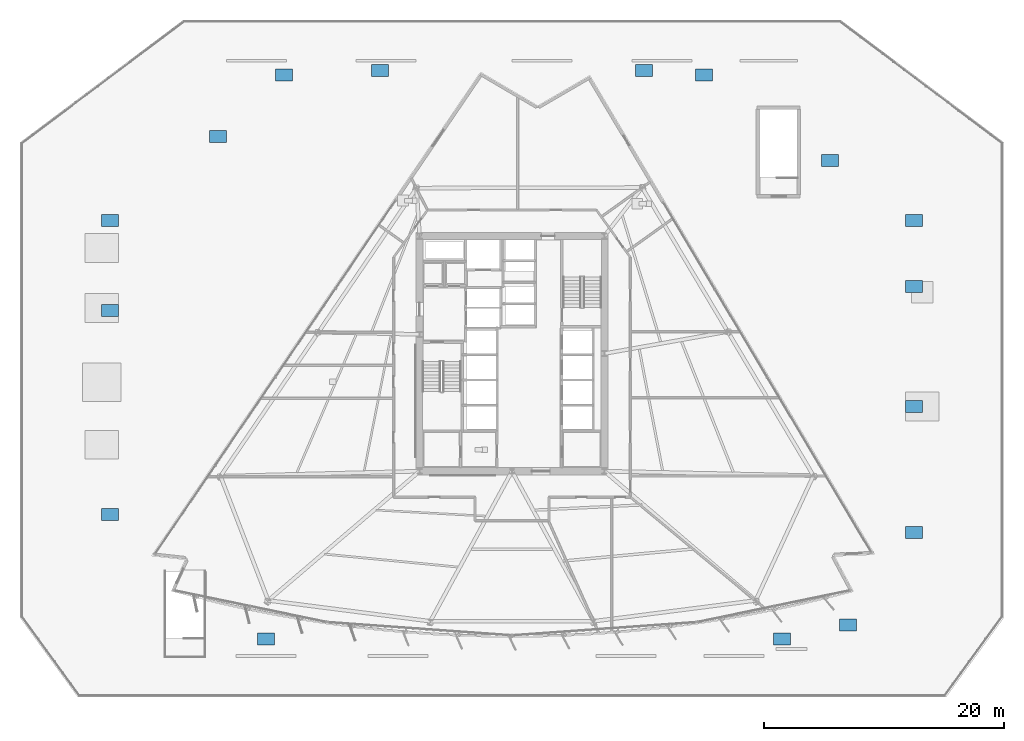
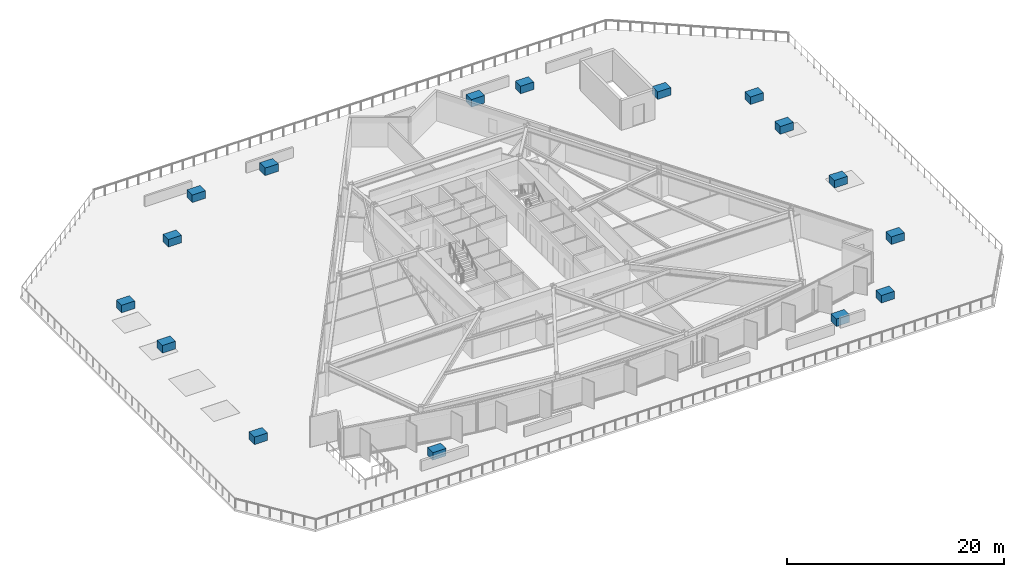
# One storey, part 11 of 19: 16 discrete accessories.
"""IFC4 building model written with IfcOpenShell, lengths in metres."""

from ifc_helpers import new_model, si_unit, direction, frame, origin, origin_2d, place, context, subcontext, project, spatial, rectangle, extrude, material, type_object, element, save


model = new_model("IFC4")

# Units and contexts
model_context = context("Model", 3, precision=1e-05, world=origin(), true_north=direction((0.0, 1.0)))
body_context = subcontext(model_context, "Body", "Model", "MODEL_VIEW")
ifc_project = project(units=[si_unit("LENGTHUNIT", "METRE"), si_unit("AREAUNIT", "SQUARE_METRE"), si_unit("VOLUMEUNIT", "CUBIC_METRE"), si_unit("PLANEANGLEUNIT", "RADIAN"), si_unit("MASSUNIT", "GRAM", prefix="KILO")], contexts=[model_context])

# Site, building, storey
site_placement = place(None, origin())
site = spatial("IfcSite", under=ifc_project, at=site_placement, CompositionType="ELEMENT")
building_placement = place(site_placement, origin())
building = spatial("IfcBuilding", under=site, at=building_placement, Name="Savorim Split Tower", CompositionType="ELEMENT")
storey_placement = place(building_placement, frame((0.0, 0.0, 26.39990234375)))
storey = spatial("IfcBuildingStorey", under=building, at=storey_placement, Name="L06", CompositionType="ELEMENT", Elevation=26.39990234375)

# Discrete accessories
ifc_material = material(Name="Architectural Precast Planter Concrete C40/50", Category="concrete")
discrete_accessory_type = type_object("IfcDiscreteAccessoryType", Name="ACC-PLN-TREE", PredefinedType="USERDEFINED", material=ifc_material)
for number, where, z_axis, x_axis, name in (
    (1, (-33.5, -13.0, 0.0), (0.0, 0.0, 1.0), (1.0, 0.0, 0.0), "L06 Raised Garden Tree Planter 01"),
    (2, (-33.5, 4.0, 0.0), (0.0, 0.0, 1.0), (1.0, 0.0, 0.0), "L06 Raised Garden Tree Planter 02"),
    (3, (-33.5, 11.5, 0.0), (0.0, 0.0, 1.0), (1.0, 0.0, 0.0), "L06 Raised Garden Tree Planter 03"),
    (4, (-20.5, -23.39990234375, 0.0), (0.0, 0.0, 1.0), (1.0, 0.0, 0.0), "L06 Raised Garden Tree Planter 04"),
    (5, (33.5, -14.5, 0.0), (0.0, 0.0, 1.0), (1.0, 0.0, 0.0), "L06 Raised Garden Tree Planter 05"),
    (6, (33.5, -4.0, 0.0), (0.0, 0.0, 1.0), (1.0, 0.0, 0.0), "L06 Raised Garden Tree Planter 06"),
    (7, (33.5, 6.0, 0.0), (0.0, 0.0, 1.0), (1.0, 0.0, 0.0), "L06 Raised Garden Tree Planter 07"),
    (8, (33.5, 11.5, 0.0), (0.0, 0.0, 1.0), (1.0, 0.0, 0.0), "L06 Raised Garden Tree Planter 08"),
    (9, (-19.0, 23.60009765625, 0.0), (0.0, 0.0, 1.0), (1.0, 0.0, 0.0), "L06 Raised Garden Tree Planter 09"),
    (10, (-11.0, 24.0, 0.0), (0.0, 0.0, 1.0), (1.0, 0.0, 0.0), "L06 Raised Garden Tree Planter 10"),
    (11, (11.0, 24.0, 0.0), (0.0, 0.0, 1.0), (1.0, 0.0, 0.0), "L06 Raised Garden Tree Planter 11"),
    (12, (16.0, 23.60009765625, 0.0), (0.0, 0.0, 1.0), (1.0, 0.0, 0.0), "L06 Raised Garden Tree Planter 12"),
    (13, (22.5, -23.39990234375, 0.0), (0.0, 0.0, 1.0), (1.0, 0.0, 0.0), "L06 Raised Garden Tree Planter 13"),
    (14, (28.0, -22.199951171875, 0.0), (0.0, 0.0, 1.0), (1.0, 0.0, 0.0), "L06 Raised Garden Tree Planter 14"),
    (15, (26.5, 16.5, 0.0), (0.0, 0.0, 1.0), (1.0, 0.0, 0.0), "L06 Raised Garden Tree Planter 15"),
    (16, (-24.5, 18.5, 0.0), (0.0, 0.0, 1.0), (1.0, 0.0, 0.0), "L06 Raised Garden Tree Planter 16"),
):
    element("IfcDiscreteAccessory", number, at=place(storey_placement, frame(where, z_axis=z_axis, x_axis=x_axis)), inside=storey, type_object=discrete_accessory_type, Name=name, ObjectType="PLANTER", PredefinedType="USERDEFINED", context=body_context, shape_type="SweptSolid", body=[
        extrude(rectangle(XDim=1.39990234375, YDim=1.0, at=origin_2d()), origin(), (0.0, 0.0, 1.0), 0.85009765625),
    ])

save(model, "model.ifc")
